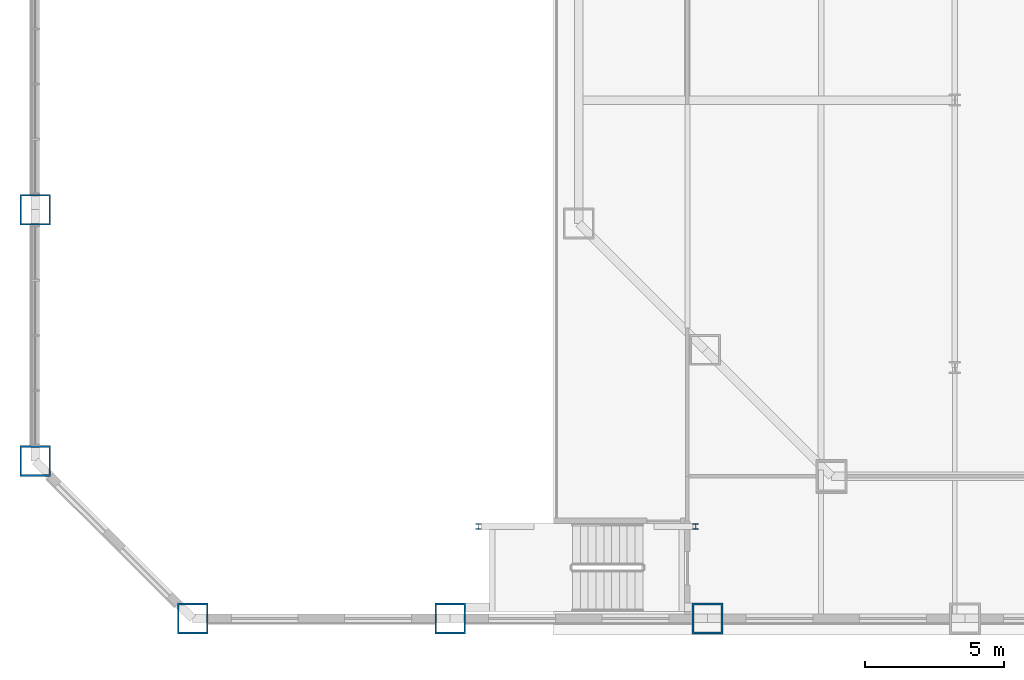
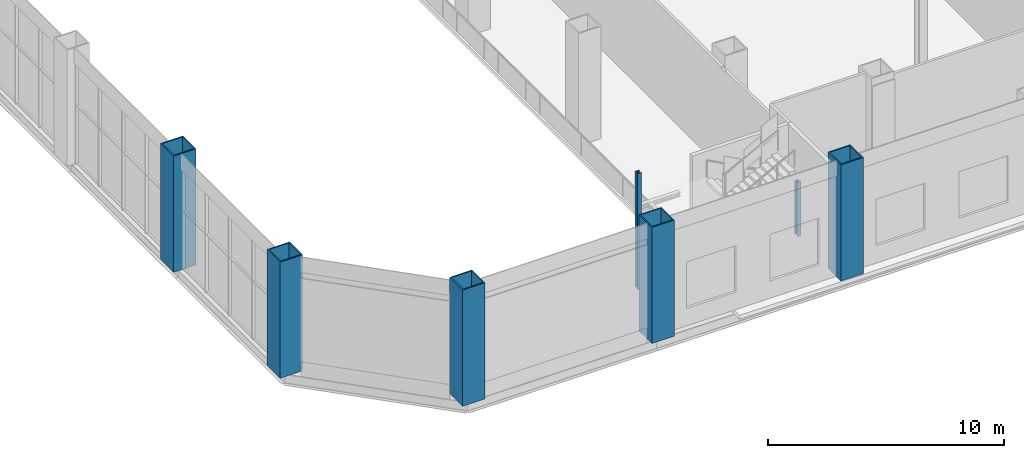
# One storey, part 1 of 31: 7 columns.
"""IFC4 building model written with IfcOpenShell, lengths in metres."""

from ifc_helpers import new_model, si_unit, direction, frame, origin, origin_2d, place, context, subcontext, project, spatial, hollow_rectangle, i_section, extrude, material, material_profile, profile_set, type_object, element, save


model = new_model("IFC4")

# Units and contexts
model_context = context("Model", 3, precision=1e-05, world=origin(), true_north=direction((0.0, 1.0)))
body_context = subcontext(model_context, "Body", "Model", "MODEL_VIEW")
ifc_project = project(units=[si_unit("LENGTHUNIT", "METRE"), si_unit("AREAUNIT", "SQUARE_METRE"), si_unit("VOLUMEUNIT", "CUBIC_METRE"), si_unit("PLANEANGLEUNIT", "RADIAN"), si_unit("MASSUNIT", "GRAM", prefix="KILO")], contexts=[model_context])

# Site, building, storey
site_placement = place(None, origin())
site = spatial("IfcSite", under=ifc_project, at=site_placement, CompositionType="ELEMENT")
building_placement = place(site_placement, origin())
building = spatial("IfcBuilding", under=site, at=building_placement, Name="Cairn Pilgrim Tower", CompositionType="ELEMENT")
storey_placement = place(building_placement, frame((0.0, 0.0, 15.0)))
storey = spatial("IfcBuildingStorey", under=building, at=storey_placement, Name="L02", CompositionType="ELEMENT", Elevation=15.0)

# Columns
ifc_material_1 = material(Name="Structural steel S460M", Category="steel")
ifc_material_profile_1 = material_profile(ifc_material_1, hollow_rectangle(XDim=1.10009765625, YDim=1.10009765625, WallThickness=0.06005859375, at=origin_2d()), Name="BOX 1100x1100x60")
ifc_profile_set_1 = profile_set([ifc_material_profile_1], Name="Structural steel S460M")
column_type_1 = type_object("IfcColumnType", Name="PILOTIS CFT 1100", PredefinedType="COLUMN", material=ifc_profile_set_1)
for number, where, z_axis, x_axis, name in (
    (1, (-41.75146484375, -28.199951171875, 0.0), (0.0, 0.0, 1.0), (1.0, 0.0, 0.0), "PILOTIS PL-S1"),
    (2, (-32.513671875, -28.199951171875, 0.0), (0.0, 0.0, 1.0), (1.0, 0.0, 0.0), "PILOTIS PL-S2"),
    (3, (-23.275634765625, -28.199951171875, 0.0), (0.0, 0.0, 1.0), (1.0, 0.0, 0.0), "PILOTIS PL-S3"),
    (4, (-47.39990234375, -13.531005859375, 0.0), (0.0, 0.0, 1.0), (1.0, 0.0, 0.0), "PILOTIS PL-W5"),
    (5, (-47.39990234375, -22.551513671875, 0.0), (0.0, 0.0, 1.0), (1.0, 0.0, 0.0), "PILOTIS PL-SW1"),
):
    element("IfcColumn", number, at=place(storey_placement, frame(where, z_axis=z_axis, x_axis=x_axis)), inside=storey, type_object=column_type_1, Name=name, PredefinedType="COLUMN", context=body_context, shape_type="SweptSolid", body=[
        extrude(hollow_rectangle(XDim=1.10009765625, YDim=1.10009765625, WallThickness=0.06005859375, at=origin_2d()), origin(), (0.0, 0.0, 1.0), 6.0),
    ])
ifc_material_2 = material(Name="Structural steel S355J2", Category="steel")
ifc_material_profile_2 = material_profile(ifc_material_2, i_section(OverallWidth=0.199951171875, OverallDepth=0.199951171875, WebThickness=0.009033203125, FlangeThickness=0.014892578125, FilletRadius=0.01806640625, at=origin_2d()), Name="HE 200 B")
ifc_profile_set_2 = profile_set([ifc_material_profile_2], Name="Structural steel S355J2")
column_type_2 = type_object("IfcColumnType", Name="STAIR POST HE 200 B", PredefinedType="COLUMN", material=ifc_profile_set_2)
column_1_placement = place(storey_placement, frame((-31.5, -24.89990234375, 0.0), z_axis=(0.0, 0.0, 1.0), x_axis=(1.0, 0.0, 0.0)))
element("IfcColumn", 6, at=column_1_placement, inside=storey, type_object=column_type_2, Name="STAIR POST LP-HS-W", PredefinedType="COLUMN", context=body_context, shape_type="SweptSolid", body=[
    extrude(i_section(OverallWidth=0.199951171875, OverallDepth=0.199951171875, WebThickness=0.009033203125, FlangeThickness=0.014892578125, FilletRadius=0.01806640625, at=origin_2d()), origin(), (0.0, 0.0, 1.0), 6.0),
])
column_2_placement = place(storey_placement, frame((-23.699951171875, -24.89990234375, 0.0), z_axis=(0.0, 0.0, 1.0), x_axis=(1.0, 0.0, 0.0)))
element("IfcColumn", 7, at=column_2_placement, inside=storey, type_object=column_type_2, Name="STAIR POST LP-HS-E", PredefinedType="COLUMN", context=body_context, shape_type="SweptSolid", body=[
    extrude(i_section(OverallWidth=0.199951171875, OverallDepth=0.199951171875, WebThickness=0.009033203125, FlangeThickness=0.014892578125, FilletRadius=0.01806640625, at=origin_2d()), origin(), (0.0, 0.0, 1.0), 2.800048828125),
])

save(model, "model.ifc")
